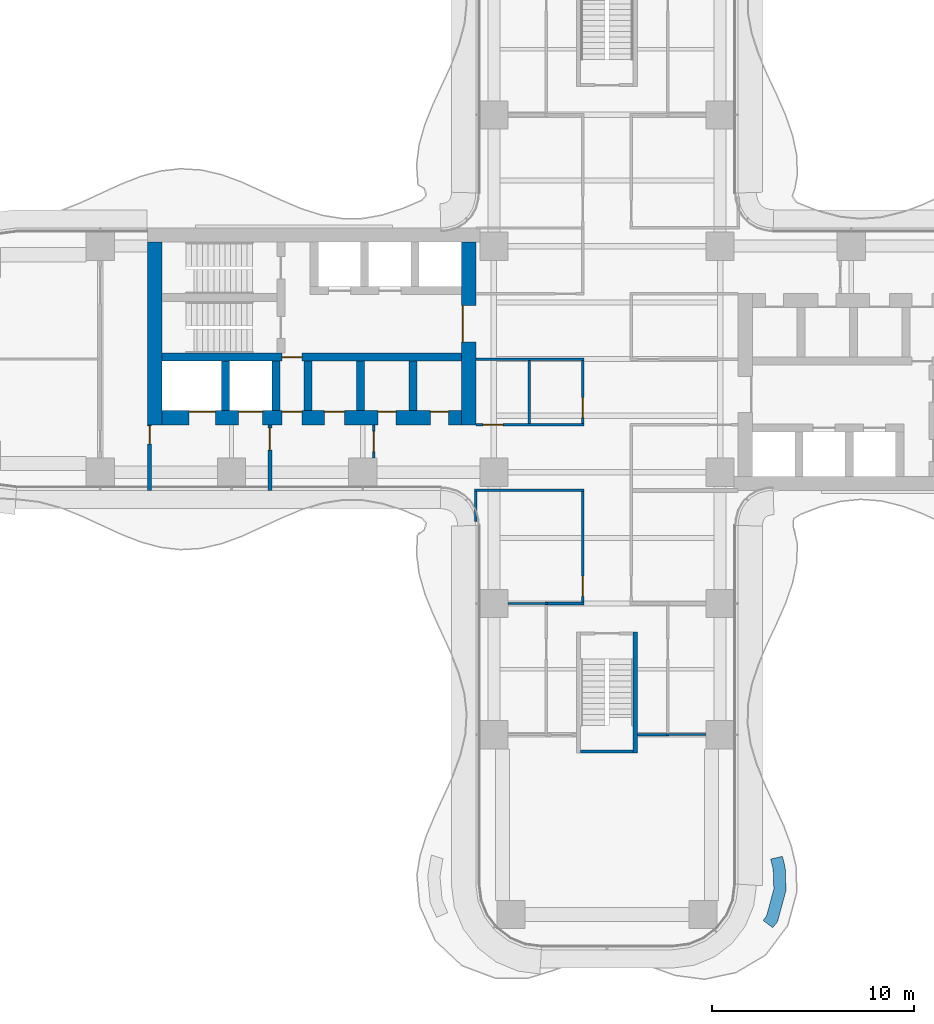
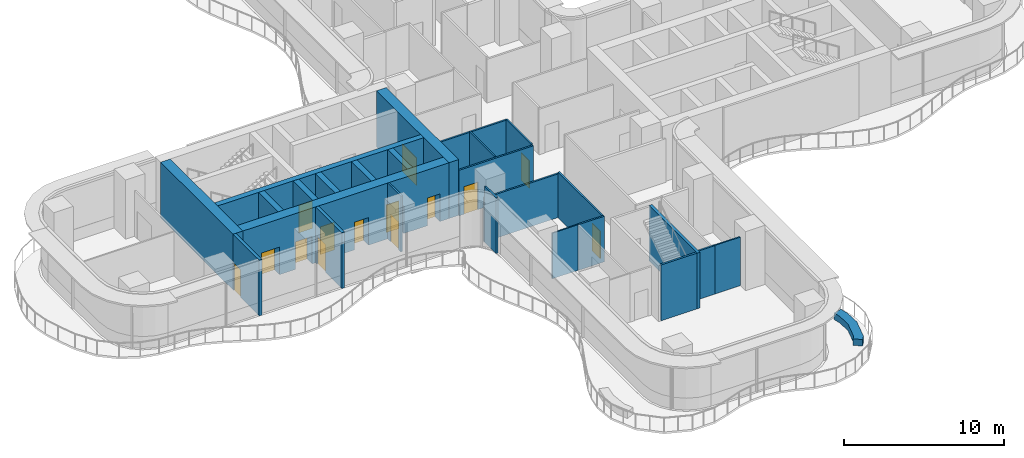
# One storey, part 17 of 22: 26 walls, 14 doors, 14 openings.
"""IFC4 building model written with IfcOpenShell, lengths in metres."""

import ifcopenshell
import ifcopenshell.guid

model = None  # the IFC model being written
_history = None  # IfcOwnerHistory: only IFC2X3 demands one
_inside = {}  # id of a spatial element -> (the spatial element, [elements in it])
_under = {}  # id of a project, library or spatial element -> (it, [spatial elements below it])
_declared = {}  # id of a project -> (the project, [libraries it declares])
_typed = {}  # id of a type object -> (the type object, [elements of that type])
_made_of = {}  # id of a material, layer set ... -> (it, [elements and type objects made of it])


def new_model(schema):
    """Start an empty IFC model of exactly this schema.

    Asked for "IFC4X3", IfcOpenShell would pick the latest addendum, in which some entities
    have other attributes; the version numbers below select the first issue.
    IFC2X3 requires an IfcOwnerHistory on every rooted entity: one is made here for all.
    """
    global model, _history
    if schema == "IFC4X3":
        model = ifcopenshell.file(schema_version=(4, 3, 0, 0))
    else:
        model = ifcopenshell.file(schema=schema)
    _inside.clear()
    _under.clear()
    _declared.clear()
    _typed.clear()
    _made_of.clear()
    _history = None
    if model.schema == "IFC2X3":
        org = make("IfcOrganization", Name="unknown")
        user = make(
            "IfcPersonAndOrganization",
            ThePerson=make("IfcPerson", FamilyName="unknown"),
            TheOrganization=org,
        )
        app = make(
            "IfcApplication",
            ApplicationDeveloper=org,
            Version="unknown",
            ApplicationFullName="unknown",
            ApplicationIdentifier="unknown",
        )
        _history = make(
            "IfcOwnerHistory",
            OwningUser=user,
            OwningApplication=app,
            ChangeAction="ADDED",
            CreationDate=0,
        )
    return model


def make(cls, **values):
    """One entity of the class cls with the attributes given. An attribute that is None is left unset."""
    return model.create_entity(
        cls, **{name: value for name, value in values.items() if value is not None}
    )


def rooted(cls, **values):
    """An entity with a GlobalId (a new one), such as an element, a storey or a relation."""
    return make(cls, GlobalId=ifcopenshell.guid.new(), OwnerHistory=_history, **values)


def si_unit(unit_type, name, prefix=None):
    """IfcSIUnit, for example si_unit("LENGTHUNIT", "METRE", prefix="MILLI")."""
    return make("IfcSIUnit", UnitType=unit_type, Prefix=prefix, Name=name)


def assignment(units):
    """IfcUnitAssignment: the units of a project."""
    return None if units is None else make("IfcUnitAssignment", Units=units)


def point(xyz):
    """IfcCartesianPoint."""
    return None if xyz is None else make("IfcCartesianPoint", Coordinates=xyz)


def direction(xyz):
    """IfcDirection."""
    return None if xyz is None else make("IfcDirection", DirectionRatios=xyz)


def frame(location, z_axis=None, x_axis=None):
    """IfcAxis2Placement3D, a coordinate frame: its origin and axes. An axis left out is left unset."""
    return make(
        "IfcAxis2Placement3D",
        Location=point(location),
        Axis=direction(z_axis),
        RefDirection=direction(x_axis),
    )


def frame_2d(location, x_axis=None):
    """IfcAxis2Placement2D, a coordinate frame in the plane: its origin and x axis."""
    return make(
        "IfcAxis2Placement2D", Location=point(location), RefDirection=direction(x_axis)
    )


def origin():
    """The frame at (0, 0, 0) with its axes left unset."""
    return frame((0.0, 0.0, 0.0))


def place(relative_to, where):
    """IfcLocalPlacement: puts the frame where relative to a parent placement (None: the world)."""
    return make(
        "IfcLocalPlacement", PlacementRelTo=relative_to, RelativePlacement=where
    )


def context(
    kind, dimensions, precision=None, world=None, true_north=None, identifier=None
):
    """IfcGeometricRepresentationContext, for example the 3D "Model" context."""
    return make(
        "IfcGeometricRepresentationContext",
        ContextIdentifier=identifier,
        ContextType=kind,
        CoordinateSpaceDimension=dimensions,
        Precision=precision,
        WorldCoordinateSystem=world,
        TrueNorth=true_north,
    )


def subcontext(parent, identifier, kind, view, scale=None):
    """IfcGeometricRepresentationSubContext, for example "Body" below "Model"."""
    return make(
        "IfcGeometricRepresentationSubContext",
        ContextIdentifier=identifier,
        ContextType=kind,
        ParentContext=parent,
        TargetScale=scale,
        TargetView=view,
    )


def project(units=None, contexts=None):
    """IfcProject with its units and contexts."""
    return rooted(
        "IfcProject",
        Name="project",
        RepresentationContexts=contexts,
        UnitsInContext=assignment(units),
    )


def spatial(cls, under=None, at=None, **own):
    """A site, building, storey or space (cls), placed at a placement, below another one or the project."""
    s = rooted(cls, ObjectPlacement=at, **own)
    if under is not None:
        _under.setdefault(under.id(), (under, []))[1].append(s)
    return s


def polyline(points):
    """IfcPolyline through the points."""
    return make("IfcPolyline", Points=[point(p) for p in points])


def profile(cls, at=None, kind="AREA", **sizes):
    """A parametric profile (cls). Its sizes go by their IFC names, for example OverallWidth=200.0."""
    return make(cls, ProfileType=kind, Position=at, **sizes)


def rectangle(**sizes):
    """IfcRectangleProfileDef."""
    return profile("IfcRectangleProfileDef", **sizes)


def outline(outer, holes=None, kind="AREA"):
    """IfcArbitraryClosedProfileDef: a profile drawn as a closed curve; with holes, ...WithVoids."""
    if holes is None:
        return make("IfcArbitraryClosedProfileDef", ProfileType=kind, OuterCurve=outer)
    return make(
        "IfcArbitraryProfileDefWithVoids",
        ProfileType=kind,
        OuterCurve=outer,
        InnerCurves=holes,
    )


def extrude(swept, where, along, depth):
    """IfcExtrudedAreaSolid: the profile swept, set in the frame where, extruded along a direction by depth."""
    return make(
        "IfcExtrudedAreaSolid",
        SweptArea=swept,
        Position=where,
        ExtrudedDirection=direction(along),
        Depth=depth,
    )


def shape(context_of_items, identifier, shape_type, items):
    """IfcShapeRepresentation: the items that make up one representation, for example the "Body"."""
    return make(
        "IfcShapeRepresentation",
        ContextOfItems=context_of_items,
        RepresentationIdentifier=identifier,
        RepresentationType=shape_type,
        Items=items,
    )


def source(mapping_origin, context_of_items, identifier, shape_type, items):
    """IfcRepresentationMap: a shape defined once, which mapped items show again and again."""
    return make(
        "IfcRepresentationMap",
        MappingOrigin=mapping_origin,
        MappedRepresentation=shape(context_of_items, identifier, shape_type, items),
    )


def transform(
    local_origin,
    x_axis=None,
    y_axis=None,
    z_axis=None,
    scale=None,
    scale2=None,
    scale3=None,
    uniform=True,
):
    """IfcCartesianTransformationOperator3D, or its non-uniform kind. x_axis, y_axis, z_axis: its Axis1, 2, 3."""
    if uniform:
        return make(
            "IfcCartesianTransformationOperator3D",
            Axis1=direction(x_axis),
            Axis2=direction(y_axis),
            LocalOrigin=point(local_origin),
            Scale=scale,
            Axis3=direction(z_axis),
        )
    return make(
        "IfcCartesianTransformationOperator3DnonUniform",
        Axis1=direction(x_axis),
        Axis2=direction(y_axis),
        LocalOrigin=point(local_origin),
        Scale=scale,
        Axis3=direction(z_axis),
        Scale2=scale2,
        Scale3=scale3,
    )


def mapped(mapping_source, mapping_target):
    """IfcMappedItem: shows the shape of a source again, moved by a transform."""
    return make(
        "IfcMappedItem", MappingSource=mapping_source, MappingTarget=mapping_target
    )


def material(Name=None, Category=None):
    """IfcMaterial."""
    return make("IfcMaterial", Name=Name, Category=Category)


def layer(
    of_material, thickness, ventilated=None, Name=None, Category=None, Priority=None
):
    """IfcMaterialLayer: one layer of a wall or slab, of a material (None: an air gap)."""
    return make(
        "IfcMaterialLayer",
        Material=of_material,
        LayerThickness=thickness,
        IsVentilated=ventilated,
        Name=Name,
        Category=Category,
        Priority=Priority,
    )


def layer_set(layers, Name=None):
    """IfcMaterialLayerSet."""
    return make("IfcMaterialLayerSet", MaterialLayers=layers, LayerSetName=Name)


def made_of(thing, what):
    """Note that an element or type object is made of a material, layer set ...; save() writes the relation."""
    if what is not None:
        _made_of.setdefault(what.id(), (what, []))[1].append(thing)
    return thing


def type_object(cls, material=None, **own):
    """A type object (cls), such as IfcWallType, which elements share."""
    return made_of(rooted(cls, **own), material)


def element(
    cls,
    number,
    at=None,
    inside=None,
    cuts=None,
    type_object=None,
    material=None,
    context=None,
    identifier="Body",
    shape_type=None,
    held_by="IfcProductDefinitionShape",
    body=None,
    shapes=None,
    **own,
):
    """One element of the class cls, such as IfcWall. Its Tag is "e" and its number.

    at: its placement. inside: the storey or other place that contains it. cuts: it is an
    opening in that element (IfcRelVoidsElement). A single representation is given by context,
    identifier, shape_type and body (its items); several are given by shapes. held_by: the class
    of the entity that holds the representations. save() writes the other relations.
    """
    e = rooted(cls, Tag="e%d" % number, ObjectPlacement=at, **own)
    if body is not None:
        shapes = [shape(context, identifier, shape_type, body)]
    if shapes is not None:
        e.Representation = make(held_by, Representations=shapes)
    if inside is not None:
        _inside.setdefault(inside.id(), (inside, []))[1].append(e)
    if cuts is not None:
        rooted(
            "IfcRelVoidsElement", RelatingBuildingElement=cuts, RelatedOpeningElement=e
        )
    if type_object is not None:
        _typed.setdefault(type_object.id(), (type_object, []))[1].append(e)
    return made_of(e, material)


def fill(opening, filler):
    """IfcRelFillsElement: the door or window that sits in an opening."""
    return rooted(
        "IfcRelFillsElement",
        RelatingOpeningElement=opening,
        RelatedBuildingElement=filler,
    )


def aggregate(whole, parts):
    """IfcRelAggregates: a whole, such as a stair, and the parts it consists of."""
    return rooted("IfcRelAggregates", RelatingObject=whole, RelatedObjects=parts)


def save(model, path):
    """Write the relations noted so far, then the file.

    IfcRelAggregates (storeys below a building ...), IfcRelContainedInSpatialStructure (elements
    in a storey), IfcRelDefinesByType, IfcRelAssociatesMaterial and IfcRelDeclares: one each for
    every whole, place, type object, material and project.
    """
    for whole, parts in _under.values():
        aggregate(whole, parts)
    for where, things in _inside.values():
        rooted(
            "IfcRelContainedInSpatialStructure",
            RelatedElements=things,
            RelatingStructure=where,
        )
    for kind, things in _typed.values():
        rooted("IfcRelDefinesByType", RelatedObjects=things, RelatingType=kind)
    for what, things in _made_of.values():
        rooted("IfcRelAssociatesMaterial", RelatedObjects=things, RelatingMaterial=what)
    for by, libraries in _declared.values():
        rooted("IfcRelDeclares", RelatingContext=by, RelatedDefinitions=libraries)
    model.write(path)


model = new_model("IFC4")

# Units and contexts
model_context = context("Model", 3, precision=1e-05, world=origin(), true_north=direction((0.0, 1.0)))
body_context = subcontext(model_context, "Body", "Model", "MODEL_VIEW")
ifc_project = project(units=[si_unit("LENGTHUNIT", "METRE"), si_unit("AREAUNIT", "SQUARE_METRE"), si_unit("VOLUMEUNIT", "CUBIC_METRE"), si_unit("PLANEANGLEUNIT", "RADIAN"), si_unit("MASSUNIT", "GRAM", prefix="KILO")], contexts=[model_context])

# Site, building, storey
site_placement = place(None, origin())
site = spatial("IfcSite", under=ifc_project, at=site_placement, CompositionType="ELEMENT")
building_placement = place(site_placement, origin())
building = spatial("IfcBuilding", under=site, at=building_placement, Name="Trellis Farm Tower", CompositionType="ELEMENT")
storey_placement = place(building_placement, frame((0.0, 0.0, 43.0)))
storey = spatial("IfcBuildingStorey", under=building, at=storey_placement, Name="L08", CompositionType="ELEMENT", Elevation=43.0)

# Wall
ifc_material_1 = material(Name="Sandstone faced masonry planter", Category="masonry")
ifc_layer_1 = layer(ifc_material_1, 0.60009765625)
ifc_layer_set_1 = layer_set([ifc_layer_1], Name="PLANTER BED 600")
wall_type_1 = type_object("IfcWallType", Name="PLANTER BED 600", PredefinedType="USERDEFINED", material=ifc_layer_set_1)
wall_1_placement = place(storey_placement, origin())
element("IfcWall", 1, at=wall_1_placement, inside=storey, type_object=wall_type_1, Name="PLANTER bed", ObjectType="PLANTER", PredefinedType="USERDEFINED", context=body_context, shape_type="SweptSolid", body=[
    extrude(outline(polyline([(8.8662109375, -26.312744140625), (8.4482421875, -27.852294921875), (8.212646484375, -28.162353515625), (7.735107421875, -27.799072265625), (7.89990234375, -27.582275390625), (8.263427734375, -26.2431640625), (8.2294921875, -25.26904296875), (8.108154296875, -24.7587890625), (8.69189453125, -24.6201171875), (8.826904296875, -25.1884765625), (8.8662109375, -26.312744140625)])), origin(), (0.0, 0.0, 1.0), 0.5),
])

# Wall, opening, door
ifc_material_2 = material(Name="Concrete C80/95", Category="concrete")
ifc_layer_2 = layer(ifc_material_2, 0.699951171875)
ifc_layer_set_2 = layer_set([ifc_layer_2], Name="CORE OUTER WALL 700 CONCRETE C80/95")
wall_type_2 = type_object("IfcWallType", Name="CORE OUTER WALL 700 CONCRETE C80/95", PredefinedType="SHEAR", material=ifc_layer_set_2)
shared_shape_1 = source(origin(), body_context, "Body", "SweptSolid", [
    extrude(rectangle(XDim=9.050048828125, YDim=0.699951171875, at=frame_2d((4.52490234375, 0.0))), origin(), (0.0, 0.0, 1.0), 4.25),
])
wall_2_placement = place(storey_placement, frame((-6.85009765625, 5.800048828125, 0.0), z_axis=(0.0, 0.0, 1.0), x_axis=(0.0, -1.0, 0.0)))
wall_2 = element("IfcWall", 2, at=wall_2_placement, inside=storey, type_object=wall_type_2, Name="Core wall", PredefinedType="SHEAR", context=body_context, shape_type="MappedRepresentation", body=[
    mapped(shared_shape_1, transform((0.0, 0.0, 0.0))),
])
shared_shape_2 = source(origin(), body_context, "Body", "SweptSolid", [
    extrude(rectangle(XDim=1.800048828125, YDim=2.10009765625, at=frame_2d((0.89990234375, 1.050048828125))), frame((0.0, 0.360107421875, 0.0), z_axis=(0.0, -1.0, 0.0), x_axis=(1.0, 0.0, 0.0)), (0.0, 0.0, 1.0), 0.72021484375),
])
opening_1_placement = place(wall_2_placement, frame((3.14990234375, 0.0, 0.0)))
opening_1 = element("IfcOpeningElement", 3, at=opening_1_placement, cuts=wall_2, Name="Opening DC87", PredefinedType="OPENING", context=body_context, shape_type="MappedRepresentation", body=[
    mapped(shared_shape_2, transform((0.0, 0.0, 0.0))),
])
ifc_material_3 = material(Name="Steel", Category="steel")
door_type_1 = type_object("IfcDoorType", Name="CORE FIRE DOOR DOUBLE 1800 X 2100", OperationType="DOUBLE_DOOR_SINGLE_SWING", PredefinedType="DOOR", material=ifc_material_3)
shared_shape_3 = source(origin(), body_context, "Body", "SweptSolid", [
    extrude(rectangle(XDim=1.800048828125, YDim=2.10009765625, at=frame_2d((0.89990234375, 1.050048828125))), frame((0.0, -0.27490234375, 0.0), z_axis=(0.0, -1.0, 0.0), x_axis=(1.0, 0.0, 0.0)), (0.0, 0.0, 1.0), 0.050048828125),
])
door_1_placement = place(opening_1_placement, origin())
door_1 = element("IfcDoor", 4, at=door_1_placement, inside=storey, type_object=door_type_1, Name="Core door", OperationType="DOUBLE_DOOR_SINGLE_SWING", OverallHeight=2.10009765625, OverallWidth=1.800048828125, PredefinedType="DOOR", context=body_context, shape_type="MappedRepresentation", body=[
    mapped(shared_shape_3, transform((0.0, 0.0, 0.0))),
])
fill(opening_1, door_1)

# Walls
wall_3_placement = place(storey_placement, frame((-22.39990234375, 5.800048828125, 0.0), z_axis=(0.0, 0.0, 1.0), x_axis=(0.0, -1.0, 0.0)))
element("IfcWall", 5, at=wall_3_placement, inside=storey, type_object=wall_type_2, Name="Core wall", PredefinedType="SHEAR", context=body_context, shape_type="MappedRepresentation", body=[
    mapped(shared_shape_1, transform((0.0, 0.0, 0.0))),
])
ifc_layer_3 = layer(ifc_material_2, 0.39990234375)
ifc_layer_set_3 = layer_set([ifc_layer_3], Name="CORE INNER WALL 400 CONCRETE C80/95")
wall_type_3 = type_object("IfcWallType", Name="CORE INNER WALL 400 CONCRETE C80/95", PredefinedType="SHEAR", material=ifc_layer_set_3)
shared_shape_4 = source(origin(), body_context, "Body", "SweptSolid", [
    extrude(rectangle(XDim=2.449951171875, YDim=0.39990234375, at=frame_2d((1.22509765625, 0.0))), origin(), (0.0, 0.0, 1.0), 4.25),
])
for number, where, z_axis, x_axis, name in (
    (6, (-9.60009765625, -0.10009765625, 0.0), (0.0, 0.0, 1.0), (0.0, -1.0, 0.0), "Core wall"),
    (7, (-12.199951171875, -0.10009765625, 0.0), (0.0, 0.0, 1.0), (0.0, -1.0, 0.0), "Core wall"),
    (8, (-14.800048828125, -0.10009765625, 0.0), (0.0, 0.0, 1.0), (0.0, -1.0, 0.0), "Core wall"),
    (9, (-16.39990234375, -0.10009765625, 0.0), (0.0, 0.0, 1.0), (0.0, -1.0, 0.0), "Core wall"),
    (10, (-18.89990234375, -0.10009765625, 0.0), (0.0, 0.0, 1.0), (0.0, -1.0, 0.0), "Core wall"),
):
    element("IfcWall", number, at=place(storey_placement, frame(where, z_axis=z_axis, x_axis=x_axis)), inside=storey, type_object=wall_type_3, Name=name, PredefinedType="SHEAR", context=body_context, shape_type="MappedRepresentation", body=[
        mapped(shared_shape_4, transform((0.0, 0.0, 0.0))),
    ])

# Wall, opening, door
ifc_material_4 = material(Name="Masonry blockwork", Category="masonry")
ifc_layer_4 = layer(ifc_material_4, 0.199951171875)
ifc_layer_set_4 = layer_set([ifc_layer_4], Name="FIRE LOBBY PARTITION 200 BLOCKWORK")
wall_type_4 = type_object("IfcWallType", Name="FIRE LOBBY PARTITION 200 BLOCKWORK", PredefinedType="PARTITIONING", material=ifc_layer_set_4)
shared_shape_5 = source(origin(), body_context, "Body", "SweptSolid", [
    extrude(rectangle(XDim=3.25, YDim=0.199951171875, at=frame_2d((1.625, 0.0))), origin(), (0.0, 0.0, 1.0), 4.25),
])
wall_4_placement = place(storey_placement, frame((-16.699951171875, -3.25, 0.0), z_axis=(0.0, 0.0, 1.0), x_axis=(0.0, -1.0, 0.0)))
wall_4 = element("IfcWall", 11, at=wall_4_placement, inside=storey, type_object=wall_type_4, Name="Fire-fighting lobby partition", PredefinedType="PARTITIONING", context=body_context, shape_type="MappedRepresentation", body=[
    mapped(shared_shape_5, transform((0.0, 0.0, 0.0))),
])
shared_shape_6 = source(origin(), body_context, "Body", "SweptSolid", [
    extrude(rectangle(XDim=1.10009765625, YDim=2.10009765625, at=frame_2d((0.550048828125, 1.050048828125))), frame((0.0, 0.110107421875, 0.0), z_axis=(0.0, -1.0, 0.0), x_axis=(1.0, 0.0, 0.0)), (0.0, 0.0, 1.0), 0.22021484375),
])
opening_2_placement = place(wall_4_placement, frame((0.14990234375, 0.0, 0.0)))
opening_2 = element("IfcOpeningElement", 12, at=opening_2_placement, cuts=wall_4, Name="Opening DC93", PredefinedType="OPENING", context=body_context, shape_type="MappedRepresentation", body=[
    mapped(shared_shape_6, transform((0.0, 0.0, 0.0))),
])
door_type_2 = type_object("IfcDoorType", Name="CORE FIRE DOOR 1100 X 2100", OperationType="NOTDEFINED", PredefinedType="DOOR", material=ifc_material_3)
shared_shape_7 = source(origin(), body_context, "Body", "SweptSolid", [
    extrude(rectangle(XDim=1.10009765625, YDim=2.10009765625, at=frame_2d((0.550048828125, 1.050048828125))), frame((0.0, 0.02490234375, 0.0), z_axis=(0.0, -1.0, 0.0), x_axis=(1.0, 0.0, 0.0)), (0.0, 0.0, 1.0), 0.050048828125),
])
door_2_placement = place(opening_2_placement, origin())
door_2 = element("IfcDoor", 13, at=door_2_placement, inside=storey, type_object=door_type_2, Name="Core door", OperationType="SINGLE_SWING_RIGHT", OverallHeight=2.10009765625, OverallWidth=1.10009765625, PredefinedType="DOOR", context=body_context, shape_type="MappedRepresentation", body=[
    mapped(shared_shape_7, transform((0.0, 0.0, 0.0))),
])
fill(opening_2, door_2)

wall_5_placement = place(storey_placement, frame((-22.64990234375, -3.25, 0.0), z_axis=(0.0, 0.0, 1.0), x_axis=(0.0, -1.0, 0.0)))
wall_5 = element("IfcWall", 14, at=wall_5_placement, inside=storey, type_object=wall_type_4, Name="Fire-fighting lobby partition", PredefinedType="PARTITIONING", context=body_context, shape_type="MappedRepresentation", body=[
    mapped(shared_shape_5, transform((0.0, 0.0, 0.0))),
])
shared_shape_8 = source(origin(), body_context, "Body", "SweptSolid", [
    extrude(rectangle(XDim=0.89990234375, YDim=2.10009765625, at=frame_2d((0.449951171875, 1.050048828125))), frame((0.0, 0.110107421875, 0.0), z_axis=(0.0, -1.0, 0.0), x_axis=(1.0, 0.0, 0.0)), (0.0, 0.0, 1.0), 0.22021484375),
])
opening_3_placement = place(wall_5_placement, frame((0.050048828125, 0.0, 0.0)))
opening_3 = element("IfcOpeningElement", 15, at=opening_3_placement, cuts=wall_5, Name="Opening DC94", PredefinedType="OPENING", context=body_context, shape_type="MappedRepresentation", body=[
    mapped(shared_shape_8, transform((0.0, 0.0, 0.0))),
])
door_type_3 = type_object("IfcDoorType", Name="CORE FIRE DOOR 900 X 2100", OperationType="NOTDEFINED", PredefinedType="DOOR", material=ifc_material_3)
shared_shape_9 = source(origin(), body_context, "Body", "SweptSolid", [
    extrude(rectangle(XDim=0.89990234375, YDim=2.10009765625, at=frame_2d((0.449951171875, 1.050048828125))), frame((0.0, 0.02490234375, 0.0), z_axis=(0.0, -1.0, 0.0), x_axis=(1.0, 0.0, 0.0)), (0.0, 0.0, 1.0), 0.050048828125),
])
door_3_placement = place(opening_3_placement, origin())
door_3 = element("IfcDoor", 16, at=door_3_placement, inside=storey, type_object=door_type_3, Name="Core door", OperationType="SINGLE_SWING_RIGHT", OverallHeight=2.10009765625, OverallWidth=0.89990234375, PredefinedType="DOOR", context=body_context, shape_type="MappedRepresentation", body=[
    mapped(shared_shape_9, transform((0.0, 0.0, 0.0))),
])
fill(opening_3, door_3)

# Wall, openings, doors
shared_shape_10 = source(origin(), body_context, "Body", "SweptSolid", [
    extrude(rectangle(XDim=14.85009765625, YDim=0.699951171875, at=frame_2d((7.425048828125, 0.0))), origin(), (0.0, 0.0, 1.0), 4.25),
])
wall_6_placement = place(storey_placement, frame((-7.199951171875, -2.89990234375, 0.0), z_axis=(0.0, 0.0, 1.0), x_axis=(-1.0, 0.0, 0.0)))
wall_6 = element("IfcWall", 17, at=wall_6_placement, inside=storey, type_object=wall_type_2, Name="Core wall", PredefinedType="SHEAR", context=body_context, shape_type="MappedRepresentation", body=[
    mapped(shared_shape_10, transform((0.0, 0.0, 0.0))),
])
shared_shape_11 = source(origin(), body_context, "Body", "SweptSolid", [
    extrude(rectangle(XDim=1.300048828125, YDim=2.10009765625, at=frame_2d((0.64990234375, 1.050048828125))), frame((0.0, 0.360107421875, 0.0), z_axis=(0.0, -1.0, 0.0), x_axis=(1.0, 0.0, 0.0)), (0.0, 0.0, 1.0), 0.72021484375),
])
opening_4_placement = place(wall_6_placement, frame((12.199951171875, 0.0, 0.0)))
opening_4 = element("IfcOpeningElement", 18, at=opening_4_placement, cuts=wall_6, Name="Opening LD15", PredefinedType="OPENING", context=body_context, shape_type="MappedRepresentation", body=[
    mapped(shared_shape_11, transform((0.0, 0.0, 0.0))),
])
shared_shape_12 = source(origin(), body_context, "Body", "SweptSolid", [
    extrude(rectangle(XDim=1.199951171875, YDim=2.10009765625, at=frame_2d((0.60009765625, 1.050048828125))), frame((0.0, 0.360107421875, 0.0), z_axis=(0.0, -1.0, 0.0), x_axis=(1.0, 0.0, 0.0)), (0.0, 0.0, 1.0), 0.72021484375),
])
opening_5_placement = place(wall_6_placement, frame((9.85009765625, 0.0, 0.0)))
opening_5 = element("IfcOpeningElement", 19, at=opening_5_placement, cuts=wall_6, Name="Opening LD16", PredefinedType="OPENING", context=body_context, shape_type="MappedRepresentation", body=[
    mapped(shared_shape_12, transform((0.0, 0.0, 0.0))),
])
shared_shape_13 = source(origin(), body_context, "Body", "SweptSolid", [
    extrude(rectangle(XDim=1.0, YDim=2.10009765625, at=frame_2d((0.5, 1.050048828125))), frame((0.0, 0.360107421875, 0.0), z_axis=(0.0, -1.0, 0.0), x_axis=(1.0, 0.0, 0.0)), (0.0, 0.0, 1.0), 0.72021484375),
])
opening_6_placement = place(wall_6_placement, frame((7.89990234375, 0.0, 0.0)))
opening_6 = element("IfcOpeningElement", 20, at=opening_6_placement, cuts=wall_6, Name="Opening DC92", PredefinedType="OPENING", context=body_context, shape_type="MappedRepresentation", body=[
    mapped(shared_shape_13, transform((0.0, 0.0, 0.0))),
])
shared_shape_14 = source(origin(), body_context, "Body", "SweptSolid", [
    extrude(rectangle(XDim=0.89990234375, YDim=2.10009765625, at=frame_2d((0.449951171875, 1.050048828125))), frame((0.0, 0.360107421875, 0.0), z_axis=(0.0, -1.0, 0.0), x_axis=(1.0, 0.0, 0.0)), (0.0, 0.0, 1.0), 0.72021484375),
])
opening_7_placement = place(wall_6_placement, frame((0.64990234375, 0.0, 0.0)))
opening_7 = element("IfcOpeningElement", 21, at=opening_7_placement, cuts=wall_6, Name="Opening DC97", PredefinedType="OPENING", context=body_context, shape_type="MappedRepresentation", body=[
    mapped(shared_shape_14, transform((0.0, 0.0, 0.0))),
])
opening_8_placement = place(wall_6_placement, frame((3.25, 0.0, 0.0)))
opening_8 = element("IfcOpeningElement", 22, at=opening_8_placement, cuts=wall_6, Name="Opening DC110", PredefinedType="OPENING", context=body_context, shape_type="MappedRepresentation", body=[
    mapped(shared_shape_14, transform((0.0, 0.0, 0.0))),
])
opening_9_placement = place(wall_6_placement, frame((5.800048828125, 0.0, 0.0)))
opening_9 = element("IfcOpeningElement", 23, at=opening_9_placement, cuts=wall_6, Name="Opening DC123", PredefinedType="OPENING", context=body_context, shape_type="MappedRepresentation", body=[
    mapped(shared_shape_13, transform((0.0, 0.0, 0.0))),
])
door_type_4 = type_object("IfcDoorType", Name="CORE FIRE DOOR 1000 X 2100", OperationType="NOTDEFINED", PredefinedType="DOOR", material=ifc_material_3)
shared_shape_15 = source(origin(), body_context, "Body", "SweptSolid", [
    extrude(rectangle(XDim=1.0, YDim=2.10009765625, at=frame_2d((0.5, 1.050048828125))), frame((0.0, -0.27490234375, 0.0), z_axis=(0.0, -1.0, 0.0), x_axis=(1.0, 0.0, 0.0)), (0.0, 0.0, 1.0), 0.050048828125),
])
door_4_placement = place(opening_6_placement, origin())
door_4 = element("IfcDoor", 24, at=door_4_placement, inside=storey, type_object=door_type_4, Name="Core door", OperationType="SINGLE_SWING_LEFT", OverallHeight=2.10009765625, OverallWidth=1.0, PredefinedType="DOOR", context=body_context, shape_type="MappedRepresentation", body=[
    mapped(shared_shape_15, transform((0.0, 0.0, 0.0))),
])
fill(opening_6, door_4)
door_5_placement = place(opening_9_placement, origin())
door_5 = element("IfcDoor", 25, at=door_5_placement, inside=storey, type_object=door_type_4, Name="Core door", OperationType="SINGLE_SWING_LEFT", OverallHeight=2.10009765625, OverallWidth=1.0, PredefinedType="DOOR", context=body_context, shape_type="MappedRepresentation", body=[
    mapped(shared_shape_15, transform((0.0, 0.0, 0.0))),
])
fill(opening_9, door_5)
shared_shape_16 = source(origin(), body_context, "Body", "SweptSolid", [
    extrude(rectangle(XDim=0.89990234375, YDim=2.10009765625, at=frame_2d((0.449951171875, 1.050048828125))), frame((0.0, -0.27490234375, 0.0), z_axis=(0.0, -1.0, 0.0), x_axis=(1.0, 0.0, 0.0)), (0.0, 0.0, 1.0), 0.050048828125),
])
door_6_placement = place(opening_7_placement, origin())
door_6 = element("IfcDoor", 26, at=door_6_placement, inside=storey, type_object=door_type_3, Name="Core door", OperationType="SINGLE_SWING_LEFT", OverallHeight=2.10009765625, OverallWidth=0.89990234375, PredefinedType="DOOR", context=body_context, shape_type="MappedRepresentation", body=[
    mapped(shared_shape_16, transform((0.0, 0.0, 0.0))),
])
fill(opening_7, door_6)
door_7_placement = place(opening_8_placement, origin())
door_7 = element("IfcDoor", 27, at=door_7_placement, inside=storey, type_object=door_type_3, Name="Core door", OperationType="SINGLE_SWING_RIGHT", OverallHeight=2.10009765625, OverallWidth=0.89990234375, PredefinedType="DOOR", context=body_context, shape_type="MappedRepresentation", body=[
    mapped(shared_shape_16, transform((0.0, 0.0, 0.0))),
])
fill(opening_8, door_7)
ifc_material_5 = material(Name="Stainless steel", Category="steel")
door_type_5 = type_object("IfcDoorType", Name="LIFT LANDING DOOR 1300 X 2100", OperationType="DOUBLE_DOOR_SLIDING", PredefinedType="DOOR", material=ifc_material_5)
shared_shape_17 = source(origin(), body_context, "Body", "SweptSolid", [
    extrude(rectangle(XDim=1.300048828125, YDim=2.10009765625, at=frame_2d((0.64990234375, 1.050048828125))), frame((0.0, -0.27490234375, 0.0), z_axis=(0.0, -1.0, 0.0), x_axis=(1.0, 0.0, 0.0)), (0.0, 0.0, 1.0), 0.050048828125),
])
door_8_placement = place(opening_4_placement, origin())
door_8 = element("IfcDoor", 28, at=door_8_placement, inside=storey, type_object=door_type_5, Name="Lift landing door", OperationType="DOUBLE_DOOR_SLIDING", OverallHeight=2.10009765625, OverallWidth=1.300048828125, PredefinedType="DOOR", context=body_context, shape_type="MappedRepresentation", body=[
    mapped(shared_shape_17, transform((0.0, 0.0, 0.0))),
])
fill(opening_4, door_8)
door_type_6 = type_object("IfcDoorType", Name="LIFT LANDING DOOR 1200 X 2100", OperationType="DOUBLE_DOOR_SLIDING", PredefinedType="DOOR", material=ifc_material_5)
shared_shape_18 = source(origin(), body_context, "Body", "SweptSolid", [
    extrude(rectangle(XDim=1.199951171875, YDim=2.10009765625, at=frame_2d((0.60009765625, 1.050048828125))), frame((0.0, -0.27490234375, 0.0), z_axis=(0.0, -1.0, 0.0), x_axis=(1.0, 0.0, 0.0)), (0.0, 0.0, 1.0), 0.050048828125),
])
door_9_placement = place(opening_5_placement, origin())
door_9 = element("IfcDoor", 29, at=door_9_placement, inside=storey, type_object=door_type_6, Name="Lift landing door", OperationType="DOUBLE_DOOR_SLIDING", OverallHeight=2.10009765625, OverallWidth=1.199951171875, PredefinedType="DOOR", context=body_context, shape_type="MappedRepresentation", body=[
    mapped(shared_shape_18, transform((0.0, 0.0, 0.0))),
])
fill(opening_5, door_9)

# Wall, opening, door
shared_shape_19 = source(origin(), body_context, "Body", "SweptSolid", [
    extrude(rectangle(XDim=14.85009765625, YDim=0.39990234375, at=frame_2d((7.425048828125, 0.0))), origin(), (0.0, 0.0, 1.0), 4.25),
])
wall_7_placement = place(storey_placement, frame((-7.199951171875, 0.10009765625, 0.0), z_axis=(0.0, 0.0, 1.0), x_axis=(-1.0, 0.0, 0.0)))
wall_7 = element("IfcWall", 30, at=wall_7_placement, inside=storey, type_object=wall_type_3, Name="Core wall", PredefinedType="SHEAR", context=body_context, shape_type="MappedRepresentation", body=[
    mapped(shared_shape_19, transform((0.0, 0.0, 0.0))),
])
shared_shape_20 = source(origin(), body_context, "Body", "SweptSolid", [
    extrude(rectangle(XDim=1.0, YDim=2.10009765625, at=frame_2d((0.5, 1.050048828125))), frame((0.0, 0.2099609375, 0.0), z_axis=(0.0, -1.0, 0.0), x_axis=(1.0, 0.0, 0.0)), (0.0, 0.0, 1.0), 0.419921875),
])
opening_10_placement = place(wall_7_placement, frame((7.89990234375, 0.0, 0.0)))
opening_10 = element("IfcOpeningElement", 31, at=opening_10_placement, cuts=wall_7, Name="Opening DC91", PredefinedType="OPENING", context=body_context, shape_type="MappedRepresentation", body=[
    mapped(shared_shape_20, transform((0.0, 0.0, 0.0))),
])
shared_shape_21 = source(origin(), body_context, "Body", "SweptSolid", [
    extrude(rectangle(XDim=1.0, YDim=2.10009765625, at=frame_2d((0.5, 1.050048828125))), frame((0.0, 0.02490234375, 0.0), z_axis=(0.0, -1.0, 0.0), x_axis=(1.0, 0.0, 0.0)), (0.0, 0.0, 1.0), 0.050048828125),
])
door_10_placement = place(opening_10_placement, origin())
door_10 = element("IfcDoor", 32, at=door_10_placement, inside=storey, type_object=door_type_4, Name="Core door", OperationType="SINGLE_SWING_RIGHT", OverallHeight=2.10009765625, OverallWidth=1.0, PredefinedType="DOOR", context=body_context, shape_type="MappedRepresentation", body=[
    mapped(shared_shape_21, transform((0.0, 0.0, 0.0))),
])
fill(opening_10, door_10)

# Walls
ifc_layer_5 = layer(ifc_material_2, 0.199951171875)
ifc_layer_set_5 = layer_set([ifc_layer_5], Name="CORE STAIR ENCLOSURE WALL 200 CONCRETE C80/95")
wall_type_5 = type_object("IfcWallType", Name="CORE STAIR ENCLOSURE WALL 200 CONCRETE C80/95", PredefinedType="SHEAR", material=ifc_layer_set_5)
shared_shape_22 = source(origin(), body_context, "Body", "SweptSolid", [
    extrude(rectangle(XDim=6.0, YDim=0.199951171875, at=frame_2d((3.0, 0.0))), origin(), (0.0, 0.0, 1.0), 4.25),
])
wall_8_placement = place(storey_placement, frame((1.39990234375, -13.5, 0.0), z_axis=(0.0, 0.0, 1.0), x_axis=(0.0, -1.0, 0.0)))
element("IfcWall", 33, at=wall_8_placement, inside=storey, type_object=wall_type_5, Name="Stair enclosure wall", PredefinedType="SHEAR", context=body_context, shape_type="MappedRepresentation", body=[
    mapped(shared_shape_22, transform((0.0, 0.0, 0.0))),
])
ifc_layer_6 = layer(ifc_material_2, 0.14990234375)
ifc_layer_set_6 = layer_set([ifc_layer_6], Name="CORE STAIR ENCLOSURE WALL 150 CONCRETE C80/95")
wall_type_6 = type_object("IfcWallType", Name="CORE STAIR ENCLOSURE WALL 150 CONCRETE C80/95", PredefinedType="SHEAR", material=ifc_layer_set_6)
shared_shape_23 = source(origin(), body_context, "Body", "SweptSolid", [
    extrude(rectangle(XDim=2.60009765625, YDim=0.14990234375, at=frame_2d((1.300048828125, 0.0))), origin(), (0.0, 0.0, 1.0), 4.25),
])
wall_9_placement = place(storey_placement, frame((1.300048828125, -19.425048828125, 0.0), z_axis=(0.0, 0.0, 1.0), x_axis=(-1.0, 0.0, 0.0)))
element("IfcWall", 34, at=wall_9_placement, inside=storey, type_object=wall_type_6, Name="Stair enclosure wall", PredefinedType="SHEAR", context=body_context, shape_type="MappedRepresentation", body=[
    mapped(shared_shape_23, transform((0.0, 0.0, 0.0))),
])

# Wall, opening, door
ifc_material_6 = material(Name="Plasterboard on steel studs, mineral wool", Category="steel")
ifc_layer_7 = layer(ifc_material_6, 0.125)
ifc_layer_set_7 = layer_set([ifc_layer_7], Name="PARTITION 125 STUD EI 60")
wall_type_7 = type_object("IfcWallType", Name="PARTITION 125 STUD EI 60", PredefinedType="PARTITIONING", material=ifc_layer_set_7)
shared_shape_24 = source(origin(), body_context, "Body", "SweptSolid", [
    extrude(rectangle(XDim=3.125, YDim=0.125, at=frame_2d((1.5625, 0.0))), origin(), (0.0, 0.0, 1.0), 3.54638671875),
])
wall_10_placement = place(storey_placement, frame((-1.199951171875, -0.0625, 0.0), z_axis=(0.0, 0.0, 1.0), x_axis=(0.0, -1.0, 0.0)))
wall_10 = element("IfcWall", 35, at=wall_10_placement, inside=storey, type_object=wall_type_7, Name="Partition PW1", PredefinedType="PARTITIONING", context=body_context, shape_type="MappedRepresentation", body=[
    mapped(shared_shape_24, transform((0.0, 0.0, 0.0))),
])
shared_shape_25 = source(origin(), body_context, "Body", "SweptSolid", [
    extrude(rectangle(XDim=1.0, YDim=2.10009765625, at=frame_2d((0.5, 1.050048828125))), frame((0.0, 0.072509765625, 0.0), z_axis=(0.0, -1.0, 0.0), x_axis=(1.0, 0.0, 0.0)), (0.0, 0.0, 1.0), 0.14501953125),
])
opening_11_placement = place(wall_10_placement, frame((1.83740234375, 0.0, 0.0)))
opening_11 = element("IfcOpeningElement", 36, at=opening_11_placement, cuts=wall_10, Name="Opening D107", PredefinedType="OPENING", context=body_context, shape_type="MappedRepresentation", body=[
    mapped(shared_shape_25, transform((0.0, 0.0, 0.0))),
])
ifc_material_7 = material(Name="Fire-rated timber door leaf in a hollow metal frame", Category="wood")
door_type_7 = type_object("IfcDoorType", Name="DOOR 1000x2100 FD30S", OperationType="NOTDEFINED", PredefinedType="DOOR", material=ifc_material_7)
door_11_placement = place(opening_11_placement, origin())
door_11 = element("IfcDoor", 37, at=door_11_placement, inside=storey, type_object=door_type_7, Name="Door D107", OperationType="SINGLE_SWING_RIGHT", OverallHeight=2.10009765625, OverallWidth=1.0, PredefinedType="DOOR", context=body_context, shape_type="MappedRepresentation", body=[
    mapped(shared_shape_21, transform((0.0, 0.0, 0.0))),
])
fill(opening_11, door_11)

shared_shape_26 = source(origin(), body_context, "Body", "SweptSolid", [
    extrude(rectangle(XDim=5.47509765625, YDim=0.125, at=frame_2d((2.737548828125, 0.0))), origin(), (0.0, 0.0, 1.0), 3.4677734375),
])
wall_11_placement = place(storey_placement, frame((-1.199951171875, -12.03759765625, 0.0), z_axis=(0.0, 0.0, 1.0), x_axis=(0.0, 1.0, 0.0)))
wall_11 = element("IfcWall", 38, at=wall_11_placement, inside=storey, type_object=wall_type_7, Name="Partition PW1", PredefinedType="PARTITIONING", context=body_context, shape_type="MappedRepresentation", body=[
    mapped(shared_shape_26, transform((0.0, 0.0, 0.0))),
])
opening_12_placement = place(wall_11_placement, frame((0.28759765625, 0.0, 0.0)))
opening_12 = element("IfcOpeningElement", 39, at=opening_12_placement, cuts=wall_11, Name="Opening D104", PredefinedType="OPENING", context=body_context, shape_type="MappedRepresentation", body=[
    mapped(shared_shape_25, transform((0.0, 0.0, 0.0))),
])
door_12_placement = place(opening_12_placement, origin())
door_12 = element("IfcDoor", 40, at=door_12_placement, inside=storey, type_object=door_type_7, Name="Door D104", OperationType="SINGLE_SWING_LEFT", OverallHeight=2.10009765625, OverallWidth=1.0, PredefinedType="DOOR", context=body_context, shape_type="MappedRepresentation", body=[
    mapped(shared_shape_21, transform((0.0, 0.0, 0.0))),
])
fill(opening_12, door_12)

# Wall
shared_shape_27 = source(origin(), body_context, "Body", "SweptSolid", [
    extrude(rectangle(XDim=1.468994140625, YDim=0.125, at=frame_2d((0.734375, 0.0))), origin(), (0.0, 0.0, 1.0), 4.25),
])
wall_12_placement = place(storey_placement, frame((-6.5, -6.5625, 0.0), z_axis=(0.0, 0.0, 1.0), x_axis=(0.0, -1.0, 0.0)))
element("IfcWall", 41, at=wall_12_placement, inside=storey, type_object=wall_type_7, Name="Partition PW1", PredefinedType="PARTITIONING", context=body_context, shape_type="MappedRepresentation", body=[
    mapped(shared_shape_27, transform((0.0, 0.0, 0.0))),
])

# Wall, opening, door
shared_shape_28 = source(origin(), body_context, "Body", "SweptSolid", [
    extrude(rectangle(XDim=1.64990234375, YDim=0.125, at=frame_2d((0.824951171875, 0.0))), origin(), (0.0, 0.0, 1.0), 4.25),
])
wall_13_placement = place(storey_placement, frame((-11.550048828125, -4.89990234375, 0.0), z_axis=(0.0, 0.0, 1.0), x_axis=(0.0, 1.0, 0.0)))
wall_13 = element("IfcWall", 42, at=wall_13_placement, inside=storey, type_object=wall_type_7, Name="Partition PW1", PredefinedType="PARTITIONING", context=body_context, shape_type="MappedRepresentation", body=[
    mapped(shared_shape_28, transform((0.0, 0.0, 0.0))),
])
opening_13_placement = place(wall_13_placement, frame((0.324951171875, 0.0, 0.0)))
opening_13 = element("IfcOpeningElement", 43, at=opening_13_placement, cuts=wall_13, Name="Opening D302", PredefinedType="OPENING", context=body_context, shape_type="MappedRepresentation", body=[
    mapped(shared_shape_25, transform((0.0, 0.0, 0.0))),
])
door_type_8 = type_object("IfcDoorType", Name="DOOR 1000x2100 FD60", OperationType="NOTDEFINED", PredefinedType="DOOR", material=ifc_material_7)
door_13_placement = place(opening_13_placement, origin())
door_13 = element("IfcDoor", 44, at=door_13_placement, inside=storey, type_object=door_type_8, Name="Door D302", OperationType="SINGLE_SWING_LEFT", OverallHeight=2.10009765625, OverallWidth=1.0, PredefinedType="DOOR", context=body_context, shape_type="MappedRepresentation", body=[
    mapped(shared_shape_21, transform((0.0, 0.0, 0.0))),
])
fill(opening_13, door_13)

# Walls
ifc_material_8 = material(Name="Plasterboard on steel studs", Category="steel")
ifc_layer_8 = layer(ifc_material_8, 0.10009765625)
ifc_layer_set_8 = layer_set([ifc_layer_8], Name="PARTITION 100 STUD EI 30")
wall_type_8 = type_object("IfcWallType", Name="PARTITION 100 STUD EI 30", PredefinedType="PARTITIONING", material=ifc_layer_set_8)
shared_shape_29 = source(origin(), body_context, "Body", "SweptSolid", [
    extrude(rectangle(XDim=1.96240234375, YDim=0.10009765625, at=frame_2d((0.981201171875, 0.0))), origin(), (0.0, 0.0, 1.0), 3.69677734375),
])
wall_14_placement = place(storey_placement, frame((2.9375, -18.60009765625, 0.0), z_axis=(0.0, 0.0, 1.0), x_axis=(1.0, 0.0, 0.0)))
element("IfcWall", 45, at=wall_14_placement, inside=storey, type_object=wall_type_8, Name="Partition PW2", PredefinedType="PARTITIONING", context=body_context, shape_type="MappedRepresentation", body=[
    mapped(shared_shape_29, transform((0.0, 0.0, 0.0))),
])
shared_shape_30 = source(origin(), body_context, "Body", "SweptSolid", [
    extrude(rectangle(XDim=1.5625, YDim=0.125, at=frame_2d((0.78125, 0.0))), origin(), (0.0, 0.0, 1.0), 3.69677734375),
])
wall_15_placement = place(storey_placement, frame((3.0625, -18.60009765625, 0.0), z_axis=(0.0, 0.0, 1.0), x_axis=(-1.0, 0.0, 0.0)))
element("IfcWall", 46, at=wall_15_placement, inside=storey, type_object=wall_type_7, Name="Partition PW1", PredefinedType="PARTITIONING", context=body_context, shape_type="MappedRepresentation", body=[
    mapped(shared_shape_30, transform((0.0, 0.0, 0.0))),
])
shared_shape_31 = source(origin(), body_context, "Body", "SweptSolid", [
    extrude(rectangle(XDim=1.925048828125, YDim=0.125, at=frame_2d((0.96240234375, 0.0))), origin(), (0.0, 0.0, 1.0), 3.4677734375),
])
wall_16_placement = place(storey_placement, frame((-3.0625, -12.10009765625, 0.0), z_axis=(0.0, 0.0, 1.0), x_axis=(1.0, 0.0, 0.0)))
element("IfcWall", 47, at=wall_16_placement, inside=storey, type_object=wall_type_7, Name="Partition PW1", PredefinedType="PARTITIONING", context=body_context, shape_type="MappedRepresentation", body=[
    mapped(shared_shape_31, transform((0.0, 0.0, 0.0))),
])

# Wall, opening, door
shared_shape_32 = source(origin(), body_context, "Body", "SweptSolid", [
    extrude(rectangle(XDim=5.362548828125, YDim=0.125, at=frame_2d((2.68115234375, 0.0))), origin(), (0.0, 0.0, 1.0), 3.4677734375),
])
wall_17_placement = place(storey_placement, frame((-1.137451171875, -3.25, 0.0), z_axis=(0.0, 0.0, 1.0), x_axis=(-1.0, 0.0, 0.0)))
wall_17 = element("IfcWall", 48, at=wall_17_placement, inside=storey, type_object=wall_type_7, Name="Partition PW1", PredefinedType="PARTITIONING", context=body_context, shape_type="MappedRepresentation", body=[
    mapped(shared_shape_32, transform((0.0, 0.0, 0.0))),
])
opening_14_placement = place(wall_17_placement, frame((4.012451171875, 0.0, 0.0)))
opening_14 = element("IfcOpeningElement", 49, at=opening_14_placement, cuts=wall_17, Name="Opening D106", PredefinedType="OPENING", context=body_context, shape_type="MappedRepresentation", body=[
    mapped(shared_shape_25, transform((0.0, 0.0, 0.0))),
])
door_14_placement = place(opening_14_placement, origin())
door_14 = element("IfcDoor", 50, at=door_14_placement, inside=storey, type_object=door_type_7, Name="Door D106", OperationType="SINGLE_SWING_RIGHT", OverallHeight=2.10009765625, OverallWidth=1.0, PredefinedType="DOOR", context=body_context, shape_type="MappedRepresentation", body=[
    mapped(shared_shape_21, transform((0.0, 0.0, 0.0))),
])
fill(opening_14, door_14)

# Walls
wall_18_placement = place(storey_placement, frame((-1.137451171875, 0.0, 0.0), z_axis=(0.0, 0.0, 1.0), x_axis=(-1.0, 0.0, 0.0)))
element("IfcWall", 51, at=wall_18_placement, inside=storey, type_object=wall_type_7, Name="Partition PW1", PredefinedType="PARTITIONING", context=body_context, shape_type="MappedRepresentation", body=[
    mapped(shared_shape_32, transform((0.0, 0.0, 0.0))),
])
shared_shape_33 = source(origin(), body_context, "Body", "SweptSolid", [
    extrude(rectangle(XDim=5.425048828125, YDim=0.125, at=frame_2d((2.71240234375, 0.0))), origin(), (0.0, 0.0, 1.0), 3.330078125),
])
wall_19_placement = place(storey_placement, frame((-1.137451171875, -6.5, 0.0), z_axis=(0.0, 0.0, 1.0), x_axis=(-1.0, 0.0, 0.0)))
element("IfcWall", 52, at=wall_19_placement, inside=storey, type_object=wall_type_7, Name="Partition PW1", PredefinedType="PARTITIONING", context=body_context, shape_type="MappedRepresentation", body=[
    mapped(shared_shape_33, transform((0.0, 0.0, 0.0))),
])
shared_shape_34 = source(origin(), body_context, "Body", "SweptSolid", [
    extrude(rectangle(XDim=3.125, YDim=0.10009765625, at=frame_2d((1.5625, 0.0))), origin(), (0.0, 0.0, 1.0), 3.54638671875),
])
wall_20_placement = place(storey_placement, frame((-3.85009765625, -3.1875, 0.0), z_axis=(0.0, 0.0, 1.0), x_axis=(0.0, 1.0, 0.0)))
element("IfcWall", 53, at=wall_20_placement, inside=storey, type_object=wall_type_8, Name="Partition PW2", PredefinedType="PARTITIONING", context=body_context, shape_type="MappedRepresentation", body=[
    mapped(shared_shape_34, transform((0.0, 0.0, 0.0))),
])
shared_shape_35 = source(origin(), body_context, "Body", "SweptSolid", [
    extrude(rectangle(XDim=1.96240234375, YDim=0.10009765625, at=frame_2d((0.981201171875, 0.0))), origin(), (0.0, 0.0, 1.0), 3.4677734375),
])
wall_21_placement = place(storey_placement, frame((-4.89990234375, -12.10009765625, 0.0), z_axis=(0.0, 0.0, 1.0), x_axis=(1.0, 0.0, 0.0)))
element("IfcWall", 54, at=wall_21_placement, inside=storey, type_object=wall_type_8, Name="Partition PW2", PredefinedType="PARTITIONING", context=body_context, shape_type="MappedRepresentation", body=[
    mapped(shared_shape_35, transform((0.0, 0.0, 0.0))),
])

save(model, "model.ifc")
